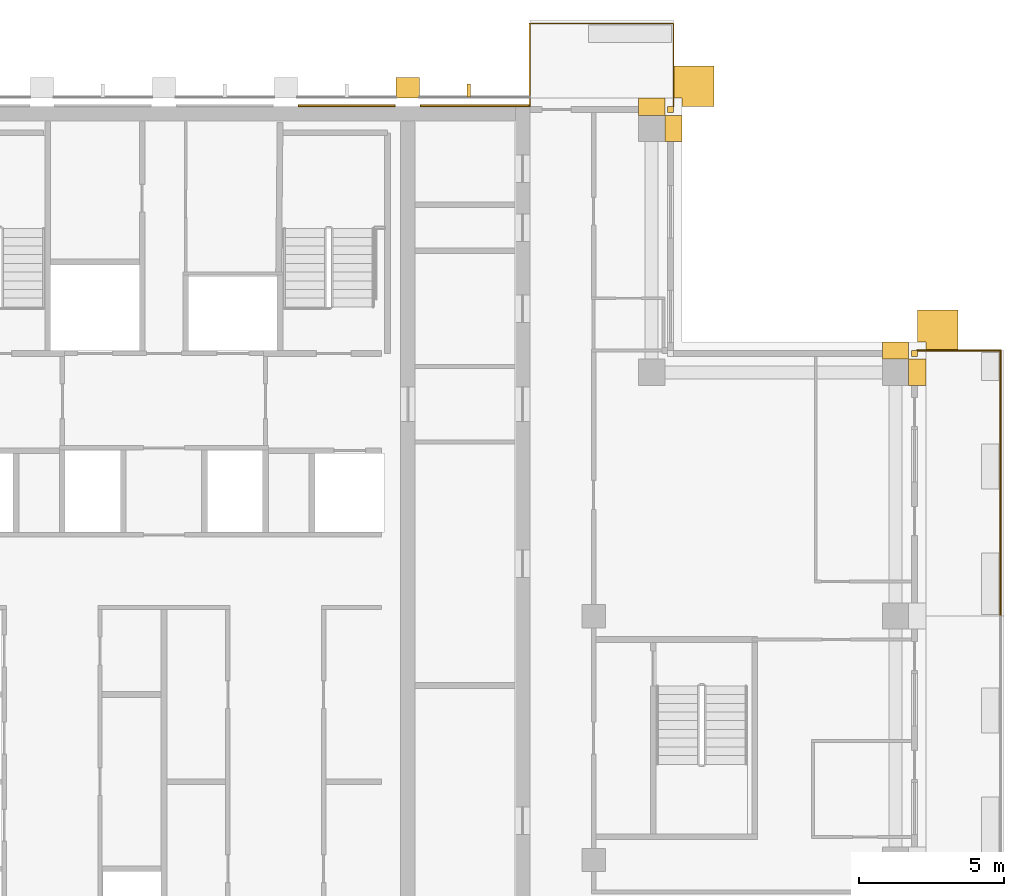
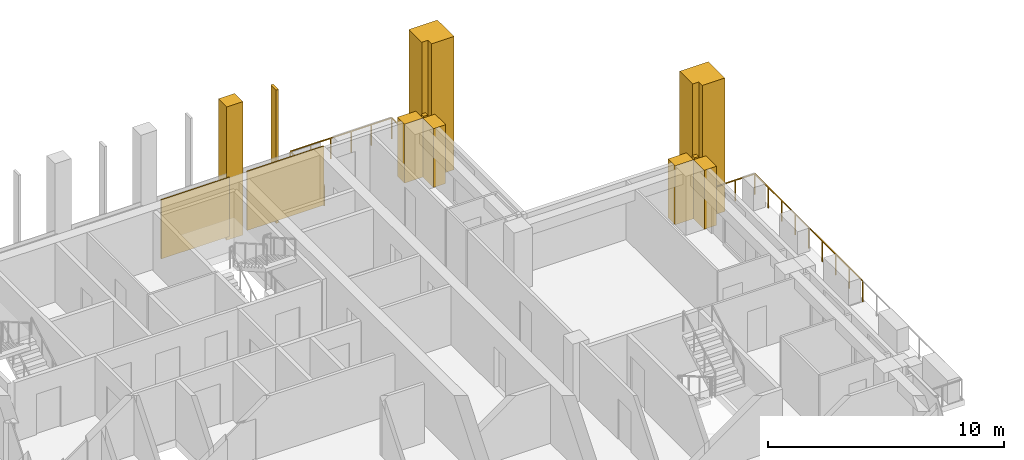
# One storey, part 16 of 16: 12 coverings, 2 railings.
"""IFC4 building model written with IfcOpenShell, lengths in metres."""

from ifc_helpers import new_model, si_unit, direction, frame, origin, origin_2d, place, context, subcontext, project, spatial, polyline, rectangle, outline, extrude, material, layer, layer_set, type_object, element, save


model = new_model("IFC4")

# Units and contexts
model_context = context("Model", 3, precision=1e-05, world=origin(), true_north=direction((0.0, 1.0)))
body_context = subcontext(model_context, "Body", "Model", "MODEL_VIEW")
ifc_project = project(units=[si_unit("LENGTHUNIT", "METRE"), si_unit("AREAUNIT", "SQUARE_METRE"), si_unit("VOLUMEUNIT", "CUBIC_METRE"), si_unit("PLANEANGLEUNIT", "RADIAN"), si_unit("MASSUNIT", "GRAM", prefix="KILO")], contexts=[model_context])

# Site, building, storey
site_placement = place(None, origin())
site = spatial("IfcSite", under=ifc_project, at=site_placement, CompositionType="ELEMENT")
building_placement = place(site_placement, origin())
building = spatial("IfcBuilding", under=site, at=building_placement, Name="Vermilion Ogive Tower", CompositionType="ELEMENT")
storey_placement = place(building_placement, frame((0.0, 0.0, 247.60009765625)))
storey = spatial("IfcBuildingStorey", under=building, at=storey_placement, Name="L65", CompositionType="ELEMENT", Elevation=247.60009765625)

# Railings
ifc_material_1 = material(Name="Stainless steel and glass", Category="steel")
railing_type = type_object("IfcRailingType", Name="Balcony guard", PredefinedType="GUARDRAIL", material=ifc_material_1)
railing_1_placement = place(storey_placement, frame((28.813720703125, 4.199951171875, -0.0400390625)))
element("IfcRailing", 1, at=railing_1_placement, inside=storey, type_object=railing_type, Name="Guard E03", PredefinedType="GUARDRAIL", context=body_context, shape_type="SweptSolid", body=[
    extrude(rectangle(XDim=0.048095703125, YDim=0.048095703125, at=origin_2d()), frame((0.0, 0.0, 1.076171875), z_axis=(0.0, 1.0, 0.0), x_axis=(-1.0, 0.0, 0.0)), (0.0, 0.0, 1.0), 9.150146484375),
    extrude(rectangle(XDim=0.048095703125, YDim=0.048095703125, at=origin_2d()), frame((0.0, 9.150146484375, 1.076171875), z_axis=(-1.0, 0.0, 0.0), x_axis=(0.0, -1.0, 0.0)), (0.0, 0.0, 1.0), 2.86376953125),
    extrude(rectangle(XDim=0.0419921875, YDim=0.0419921875, at=origin_2d()), origin(), (0.0, 0.0, 1.0), 1.052001953125),
    extrude(rectangle(XDim=0.0419921875, YDim=0.0419921875, at=origin_2d()), frame((0.0, 1.143798828125, 0.0)), (0.0, 0.0, 1.0), 1.052001953125),
    extrude(rectangle(XDim=0.0419921875, YDim=0.0419921875, at=origin_2d()), frame((0.0, 2.28759765625, 0.0)), (0.0, 0.0, 1.0), 1.052001953125),
    extrude(rectangle(XDim=0.0419921875, YDim=0.0419921875, at=origin_2d()), frame((0.0, 3.431396484375, 0.0)), (0.0, 0.0, 1.0), 1.052001953125),
    extrude(rectangle(XDim=0.0419921875, YDim=0.0419921875, at=origin_2d()), frame((0.0, 4.5751953125, 0.0)), (0.0, 0.0, 1.0), 1.052001953125),
    extrude(rectangle(XDim=0.0419921875, YDim=0.0419921875, at=origin_2d()), frame((0.0, 5.71875, 0.0)), (0.0, 0.0, 1.0), 1.052001953125),
    extrude(rectangle(XDim=0.0419921875, YDim=0.0419921875, at=origin_2d()), frame((0.0, 6.862548828125, 0.0)), (0.0, 0.0, 1.0), 1.052001953125),
    extrude(rectangle(XDim=0.0419921875, YDim=0.0419921875, at=origin_2d()), frame((0.0, 8.00634765625, 0.0)), (0.0, 0.0, 1.0), 1.052001953125),
    extrude(rectangle(XDim=0.0419921875, YDim=0.0419921875, at=origin_2d()), frame((0.0, 9.150146484375, 0.0)), (0.0, 0.0, 1.0), 1.052001953125),
    extrude(rectangle(XDim=0.0419921875, YDim=0.0419921875, at=origin_2d()), frame((-0.95458984375, 9.150146484375, 0.0)), (0.0, 0.0, 1.0), 1.052001953125),
    extrude(rectangle(XDim=0.0419921875, YDim=0.0419921875, at=origin_2d()), frame((-1.9091796875, 9.150146484375, 0.0)), (0.0, 0.0, 1.0), 1.052001953125),
    extrude(rectangle(XDim=0.0419921875, YDim=0.0419921875, at=origin_2d()), frame((-2.86376953125, 9.150146484375, 0.0)), (0.0, 0.0, 1.0), 1.052001953125),
])
railing_2_placement = place(storey_placement, frame((17.550048828125, 21.75, -0.0400390625)))
element("IfcRailing", 2, at=railing_2_placement, inside=storey, type_object=railing_type, Name="Guard N101", PredefinedType="GUARDRAIL", context=body_context, shape_type="SweptSolid", body=[
    extrude(rectangle(XDim=0.048095703125, YDim=0.048095703125, at=origin_2d()), frame((0.0, 0.0, 1.076171875), z_axis=(0.0, 1.0, 0.0), x_axis=(-1.0, 0.0, 0.0)), (0.0, 0.0, 1.0), 2.863525390625),
    extrude(rectangle(XDim=0.048095703125, YDim=0.048095703125, at=origin_2d()), frame((0.0, 2.863525390625, 1.076171875), z_axis=(-1.0, 0.0, 0.0), x_axis=(0.0, -1.0, 0.0)), (0.0, 0.0, 1.0), 4.949951171875),
    extrude(rectangle(XDim=0.048095703125, YDim=0.048095703125, at=origin_2d()), frame((-4.949951171875, 2.863525390625, 1.076171875), z_axis=(0.0, -1.0, 0.0), x_axis=(1.0, 0.0, 0.0)), (0.0, 0.0, 1.0), 2.863525390625),
    extrude(rectangle(XDim=0.0419921875, YDim=0.0419921875, at=origin_2d()), origin(), (0.0, 0.0, 1.0), 1.052001953125),
    extrude(rectangle(XDim=0.0419921875, YDim=0.0419921875, at=origin_2d()), frame((0.0, 0.95458984375, 0.0)), (0.0, 0.0, 1.0), 1.052001953125),
    extrude(rectangle(XDim=0.0419921875, YDim=0.0419921875, at=origin_2d()), frame((0.0, 1.908935546875, 0.0)), (0.0, 0.0, 1.0), 1.052001953125),
    extrude(rectangle(XDim=0.0419921875, YDim=0.0419921875, at=origin_2d()), frame((0.0, 2.863525390625, 0.0)), (0.0, 0.0, 1.0), 1.052001953125),
    extrude(rectangle(XDim=0.0419921875, YDim=0.0419921875, at=origin_2d()), frame((-0.989990234375, 2.863525390625, 0.0)), (0.0, 0.0, 1.0), 1.052001953125),
    extrude(rectangle(XDim=0.0419921875, YDim=0.0419921875, at=origin_2d()), frame((-1.97998046875, 2.863525390625, 0.0)), (0.0, 0.0, 1.0), 1.052001953125),
    extrude(rectangle(XDim=0.0419921875, YDim=0.0419921875, at=origin_2d()), frame((-2.969970703125, 2.863525390625, 0.0)), (0.0, 0.0, 1.0), 1.052001953125),
    extrude(rectangle(XDim=0.0419921875, YDim=0.0419921875, at=origin_2d()), frame((-3.9599609375, 2.863525390625, 0.0)), (0.0, 0.0, 1.0), 1.052001953125),
    extrude(rectangle(XDim=0.0419921875, YDim=0.0419921875, at=origin_2d()), frame((-4.949951171875, 2.863525390625, 0.0)), (0.0, 0.0, 1.0), 1.052001953125),
    extrude(rectangle(XDim=0.0419921875, YDim=0.0419921875, at=origin_2d()), frame((-4.949951171875, 1.908935546875, 0.0)), (0.0, 0.0, 1.0), 1.052001953125),
    extrude(rectangle(XDim=0.0419921875, YDim=0.0419921875, at=origin_2d()), frame((-4.949951171875, 0.95458984375, 0.0)), (0.0, 0.0, 1.0), 1.052001953125),
    extrude(rectangle(XDim=0.0419921875, YDim=0.0419921875, at=origin_2d()), frame((-4.949951171875, 0.0, 0.0)), (0.0, 0.0, 1.0), 1.052001953125),
])

# Coverings
ifc_material_2 = material(Name="Glazed ceramic screen")
ifc_layer = layer(ifc_material_2, 0.14990234375)
ifc_layer_set = layer_set([ifc_layer], Name="Ceramic solar screen fin")
covering_type_1 = type_object("IfcCoveringType", Name="Ceramic solar screen fin", PredefinedType="CLADDING", material=ifc_layer_set)
covering_1_placement = place(storey_placement, frame((0.0, 0.0, -0.400146484375)))
element("IfcCovering", 3, at=covering_1_placement, inside=storey, type_object=covering_type_1, Name="Solar screen blade N6", PredefinedType="CLADDING", context=body_context, shape_type="SweptSolid", body=[
    extrude(outline(polyline([(10.43994140625, 22.08203125), (10.56005859375, 22.08203125), (10.56005859375, 22.531982421875), (10.43994140625, 22.531982421875), (10.43994140625, 22.08203125)])), origin(), (0.0, 0.0, 1.0), 6.900146484375),
])
ifc_material_3 = material(Name="Stone cladding", Category="masonry")
covering_type_2 = type_object("IfcCoveringType", Name="Stone buttress pier", PredefinedType="CLADDING", material=ifc_material_3)
covering_2_placement = place(storey_placement, frame((0.0, 0.0, -0.400146484375)))
element("IfcCovering", 4, at=covering_2_placement, inside=storey, type_object=covering_type_2, Name="Stone buttress pier N5", PredefinedType="CLADDING", context=body_context, shape_type="SweptSolid", body=[
    extrude(outline(polyline([(8.800048828125, 22.75), (8.800048828125, 22.050048828125), (8.0, 22.050048828125), (8.0, 22.75), (8.800048828125, 22.75)])), origin(), (0.0, 0.0, 1.0), 6.900146484375),
])
ifc_material_4 = material(Name="Stone cladding", Category="masonry")
covering_type_3 = type_object("IfcCoveringType", Name="Stone cladding panel", PredefinedType="CLADDING", material=ifc_material_4)
covering_3_placement = place(storey_placement, origin())
element("IfcCovering", 5, at=covering_3_placement, inside=storey, type_object=covering_type_3, Name="Stone cladding panel N5", PredefinedType="CLADDING", context=body_context, shape_type="SweptSolid", body=[
    extrude(outline(polyline([(4.6298828125, 21.75), (7.969970703125, 21.75), (7.969970703125, 21.81005859375), (4.6298828125, 21.81005859375), (4.6298828125, 21.75)])), origin(), (0.0, 0.0, 1.0), 3.0498046875),
])
covering_4_placement = place(storey_placement, origin())
element("IfcCovering", 6, at=covering_4_placement, inside=storey, type_object=covering_type_3, Name="Stone cladding panel N6", PredefinedType="CLADDING", context=body_context, shape_type="SweptSolid", body=[
    extrude(outline(polyline([(8.830078125, 21.75), (12.590087890625, 21.75), (12.590087890625, 21.81005859375), (8.830078125, 21.81005859375), (8.830078125, 21.75)])), origin(), (0.0, 0.0, 1.0), 3.0498046875),
])
ifc_material_5 = material(Name="Stone cladding", Category="masonry")
covering_type_4 = type_object("IfcCoveringType", Name="Stone corner buttress", PredefinedType="CLADDING", material=ifc_material_5)
covering_5_placement = place(storey_placement, frame((0.0, 0.0, -0.400146484375)))
element("IfcCovering", 7, at=covering_5_placement, inside=storey, type_object=covering_type_4, Name="Stone corner buttress X31", PredefinedType="CLADDING", context=body_context, shape_type="SweptSolid", body=[
    extrude(outline(polyline([(27.35009765625, 13.35009765625), (26.25, 13.35009765625), (26.25, 13.64990234375), (25.949951171875, 13.64990234375), (25.949951171875, 14.75), (27.35009765625, 14.75), (27.35009765625, 13.35009765625)])), origin(), (0.0, 0.0, 1.0), 6.900146484375),
])
covering_6_placement = place(storey_placement, frame((0.0, 0.0, -0.400146484375)))
element("IfcCovering", 8, at=covering_6_placement, inside=storey, type_object=covering_type_4, Name="Stone corner buttress N11", PredefinedType="CLADDING", context=body_context, shape_type="SweptSolid", body=[
    extrude(outline(polyline([(17.85009765625, 22.050048828125), (17.550048828125, 22.050048828125), (17.550048828125, 23.14990234375), (18.949951171875, 23.14990234375), (18.949951171875, 21.75), (17.85009765625, 21.75), (17.85009765625, 22.050048828125)])), origin(), (0.0, 0.0, 1.0), 6.900146484375),
])
ifc_material_6 = material(Name="Stone cladding", Category="masonry")
covering_type_5 = type_object("IfcCoveringType", Name="Stone pier", PredefinedType="CLADDING", material=ifc_material_6)
covering_7_placement = place(storey_placement, origin())
element("IfcCovering", 9, at=covering_7_placement, inside=storey, type_object=covering_type_5, Name="Stone corner pier EE1", PredefinedType="CLADDING", context=body_context, shape_type="SweptSolid", body=[
    extrude(outline(polyline([(25.75, 13.14990234375), (25.75, 13.35009765625), (25.949951171875, 13.35009765625), (25.949951171875, 13.14990234375), (25.75, 13.14990234375)])), origin(), (0.0, 0.0, 1.0), 3.0498046875),
])
covering_8_placement = place(storey_placement, origin())
element("IfcCovering", 10, at=covering_8_placement, inside=storey, type_object=covering_type_5, Name="Stone corner pier X4E1", PredefinedType="CLADDING", context=body_context, shape_type="SweptSolid", body=[
    extrude(outline(polyline([(17.35009765625, 21.550048828125), (17.35009765625, 21.75), (17.550048828125, 21.75), (17.550048828125, 21.550048828125), (17.35009765625, 21.550048828125)])), origin(), (0.0, 0.0, 1.0), 3.0498046875),
])
covering_9_placement = place(storey_placement, origin())
element("IfcCovering", 11, at=covering_9_placement, inside=storey, type_object=covering_type_5, Name="Stone pier P+0168+210X4", PredefinedType="CLADDING", context=body_context, shape_type="SweptSolid", body=[
    extrude(outline(polyline([(17.85009765625, 21.449951171875), (17.85009765625, 20.550048828125), (17.25, 20.550048828125), (17.25, 21.449951171875), (17.85009765625, 21.449951171875)])), origin(), (0.0, 0.0, 1.0), 3.0498046875),
])
covering_10_placement = place(storey_placement, origin())
element("IfcCovering", 12, at=covering_10_placement, inside=storey, type_object=covering_type_5, Name="Stone pier P+0168+210N1", PredefinedType="CLADDING", context=body_context, shape_type="SweptSolid", body=[
    extrude(outline(polyline([(17.25, 22.050048828125), (17.25, 21.449951171875), (16.35009765625, 21.449951171875), (16.35009765625, 22.050048828125), (17.25, 22.050048828125)])), origin(), (0.0, 0.0, 1.0), 3.0498046875),
])
covering_11_placement = place(storey_placement, origin())
element("IfcCovering", 13, at=covering_11_placement, inside=storey, type_object=covering_type_5, Name="Stone pier P+0252+126E", PredefinedType="CLADDING", context=body_context, shape_type="SweptSolid", body=[
    extrude(outline(polyline([(26.25, 13.050048828125), (26.25, 12.14990234375), (25.64990234375, 12.14990234375), (25.64990234375, 13.050048828125), (26.25, 13.050048828125)])), origin(), (0.0, 0.0, 1.0), 3.0498046875),
])
covering_12_placement = place(storey_placement, origin())
element("IfcCovering", 14, at=covering_12_placement, inside=storey, type_object=covering_type_5, Name="Stone pier P+0252+126X3", PredefinedType="CLADDING", context=body_context, shape_type="SweptSolid", body=[
    extrude(outline(polyline([(25.64990234375, 13.64990234375), (25.64990234375, 13.050048828125), (24.75, 13.050048828125), (24.75, 13.64990234375), (25.64990234375, 13.64990234375)])), origin(), (0.0, 0.0, 1.0), 3.0498046875),
])

save(model, "model.ifc")
